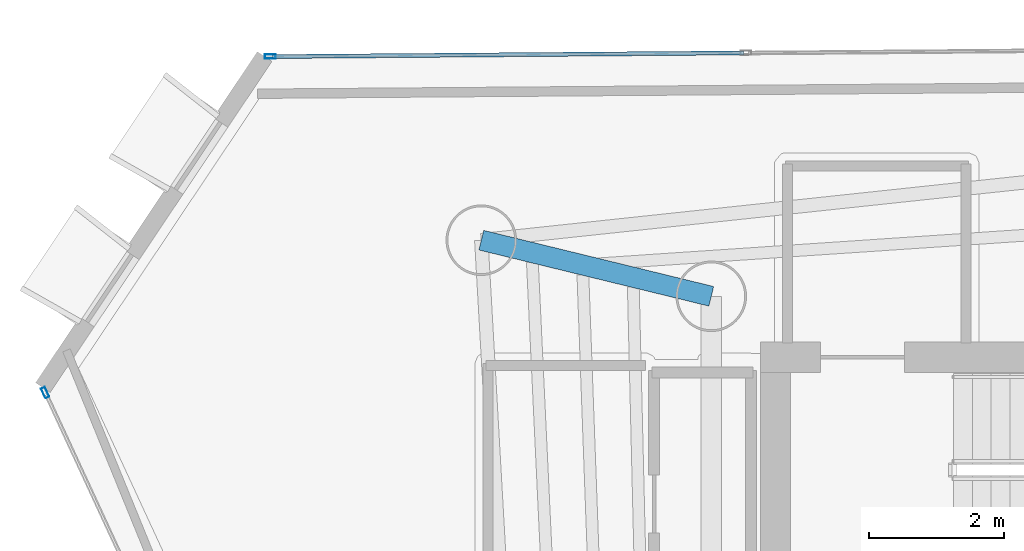
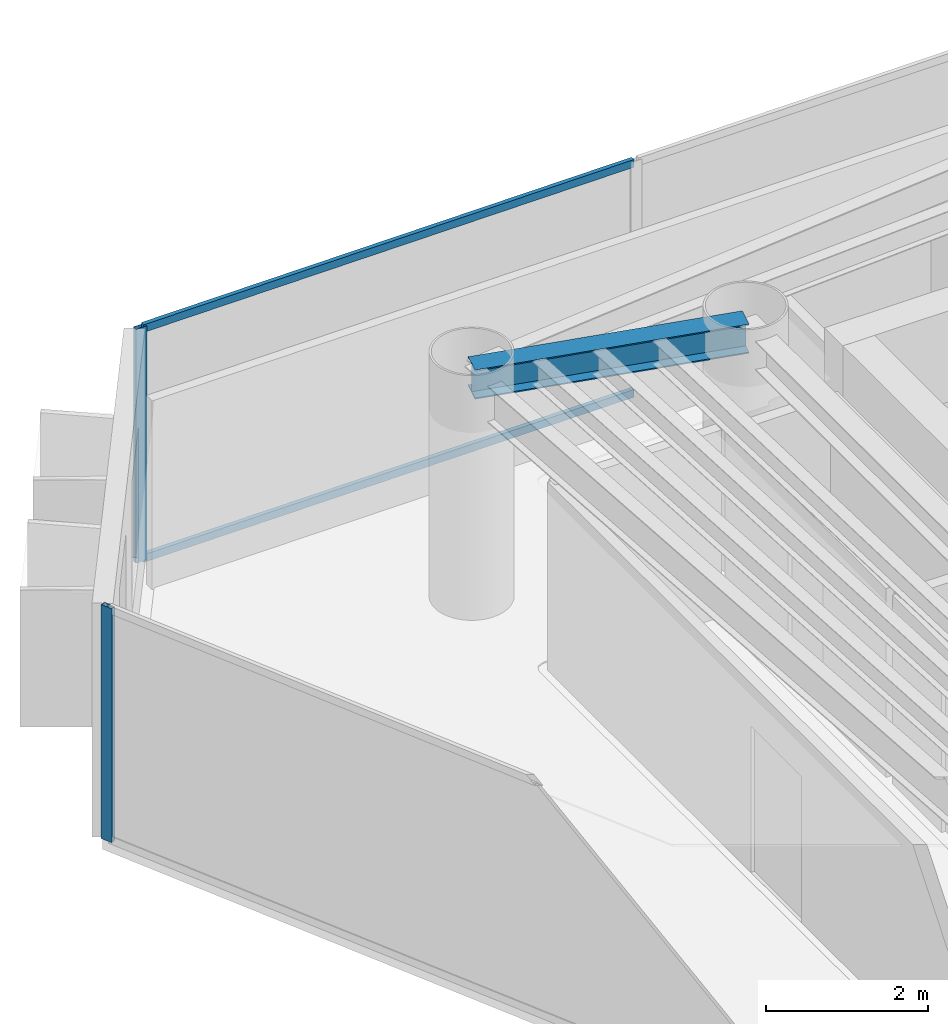
# One storey, part 8 of 21: 4 members, 1 beam, 2 elements without a shape of their own.
"""IFC4 building model written with IfcOpenShell, lengths in metres."""

from ifc_helpers import new_model, si_unit, direction, frame, origin, origin_2d, place, context, subcontext, project, spatial, hollow_rectangle, i_section, extrude, material, layer, layer_set, material_profile, profile_set, type_object, element, aggregate, save


model = new_model("IFC4")

# Units and contexts
model_context = context("Model", 3, precision=1e-05, world=origin(), true_north=direction((0.0, 1.0)))
body_context = subcontext(model_context, "Body", "Model", "MODEL_VIEW")
ifc_project = project(units=[si_unit("LENGTHUNIT", "METRE"), si_unit("AREAUNIT", "SQUARE_METRE"), si_unit("VOLUMEUNIT", "CUBIC_METRE"), si_unit("PLANEANGLEUNIT", "RADIAN"), si_unit("MASSUNIT", "GRAM", prefix="KILO")], contexts=[model_context])

# Site, building, storey
site_placement = place(None, origin())
site = spatial("IfcSite", under=ifc_project, at=site_placement, CompositionType="ELEMENT")
building_placement = place(site_placement, origin())
building = spatial("IfcBuilding", under=site, at=building_placement, Name="Qianvela Tower", CompositionType="ELEMENT")
storey_placement = place(building_placement, frame((0.0, 0.0, 253.800048828125)))
storey = spatial("IfcBuildingStorey", under=building, at=storey_placement, Name="L65", CompositionType="ELEMENT", Elevation=253.800048828125)

# Beam
ifc_material_1 = material(Name="Steel Q355B", Category="steel")
ifc_material_profile_1 = material_profile(ifc_material_1, i_section(OverallWidth=0.300048828125, OverallDepth=0.43994140625, WebThickness=0.010986328125, FlangeThickness=0.01806640625, at=origin_2d()), Name="HM440x300x11x18")
ifc_profile_set_1 = profile_set([ifc_material_profile_1], Name="Steel Q355B")
beam_type = type_object("IfcBeamType", Name="BM-HM440-COLL", PredefinedType="BEAM", material=ifc_profile_set_1)
beam_placement = place(storey_placement, frame((28.60009765625, 33.550048828125, 3.2978515625), z_axis=(-0.971502414323, 0.237029658405, 0.0), x_axis=(-0.237029658405, -0.971502414323, 0.0)))
element("IfcBeam", 1, at=beam_placement, inside=storey, type_object=beam_type, Name="L65 Radial Primary Floor Girder 3", PredefinedType="BEAM", context=body_context, shape_type="SweptSolid", body=[
    extrude(i_section(OverallWidth=0.300048828125, OverallDepth=0.43994140625, WebThickness=0.010986328125, FlangeThickness=0.01806640625, at=origin_2d()), origin(), (0.0, 0.0, 1.0), 3.5185546875),
])

# Curtain wall, member
ifc_material_2 = material(Name="Anodised Architectural Aluminium and Low-E Glass", Category="aluminium")
ifc_layer = layer(ifc_material_2, 0.159912109375)
ifc_layer_set = layer_set([ifc_layer], Name="Anodised Architectural Aluminium and Low-E Glass")
curtain_wall_type = type_object("IfcCurtainWallType", Name="CW-COLIV-Z56", PredefinedType="USERDEFINED", material=ifc_layer_set)
curtain_wall_1_placement = place(storey_placement, origin())
curtain_wall_1 = element("IfcCurtainWall", 2, at=curtain_wall_1_placement, inside=storey, type_object=curtain_wall_type, Name="L65 CW-COLIV-Z56 Curtain Wall 02C", ObjectType="CURTAIN_WALL_SYSTEM", PredefinedType="USERDEFINED")
ifc_material_3 = material(Name="Anodised Architectural Aluminium 6063-T6", Category="aluminium")
ifc_material_profile_2 = material_profile(ifc_material_3, hollow_rectangle(XDim=0.06494140625, YDim=0.159912109375, WallThickness=0.0048828125, at=origin_2d()), Name="ALU-MULL-65x160")
ifc_profile_set_2 = profile_set([ifc_material_profile_2], Name="Anodised Architectural Aluminium 6063-T6")
member_type_1 = type_object("IfcMemberType", Name="CW-COLIV-Z56-MULL", PredefinedType="MULLION", material=ifc_profile_set_2)
member_1_placement = place(storey_placement, frame((22.04345703125, 37.11376953125, 0.0), z_axis=(0.0, 0.0, 1.0), x_axis=(0.007803521427, -0.999969552063, 0.0)))
member_1 = element("IfcMember", 3, at=member_1_placement, type_object=member_type_1, Name="CW-5 mullion 3", PredefinedType="MULLION", context=body_context, shape_type="SweptSolid", body=[
    extrude(hollow_rectangle(XDim=0.06494140625, YDim=0.159912109375, WallThickness=0.0048828125, at=origin_2d()), origin(), (0.0, 0.0, 1.0), 3.52001953125),
])

curtain_wall_2_placement = place(storey_placement, origin())
curtain_wall_2 = element("IfcCurtainWall", 4, at=curtain_wall_2_placement, inside=storey, type_object=curtain_wall_type, Name="L65 CW-COLIV-Z56 Curtain Wall 04A", ObjectType="CURTAIN_WALL_SYSTEM", PredefinedType="USERDEFINED")
member_2_placement = place(storey_placement, frame((18.699951171875, 32.11767578125, 0.0), z_axis=(0.0, 0.0, 1.0), x_axis=(0.907778824695, 0.419449169072, 0.0)))
member_2 = element("IfcMember", 5, at=member_2_placement, type_object=member_type_1, Name="CW-5 mullion 1", PredefinedType="MULLION", context=body_context, shape_type="SweptSolid", body=[
    extrude(hollow_rectangle(XDim=0.06494140625, YDim=0.159912109375, WallThickness=0.0048828125, at=origin_2d()), origin(), (0.0, 0.0, 1.0), 3.52001953125),
])
aggregate(curtain_wall_2, [member_2])

# Member
ifc_material_4 = material(Name="Anodised Architectural Aluminium 6063-T6", Category="aluminium")
ifc_material_profile_3 = material_profile(ifc_material_4, hollow_rectangle(XDim=0.06005859375, YDim=0.114990234375, WallThickness=0.00390625, at=origin_2d()), Name="ALU-TRAN-60x115")
ifc_profile_set_3 = profile_set([ifc_material_profile_3], Name="Anodised Architectural Aluminium 6063-T6")
member_type_2 = type_object("IfcMemberType", Name="CW-COLIV-Z56-TRAN", PredefinedType="USERDEFINED", material=ifc_profile_set_3)
member_3_placement = place(storey_placement, frame((29.083984375, 37.168701171875, 0.030029296875), z_axis=(-0.99996955394, -0.007803280964, 0.0), x_axis=(0.007803280964, -0.99996955394, 0.0)))
member_3 = element("IfcMember", 6, at=member_3_placement, type_object=member_type_2, Name="CW-5 transom 2.1", ObjectType="TRANSOM", PredefinedType="USERDEFINED", context=body_context, shape_type="SweptSolid", body=[
    extrude(hollow_rectangle(XDim=0.06005859375, YDim=0.114990234375, WallThickness=0.00390625, at=origin_2d()), origin(), (0.0, 0.0, 1.0), 7.00830078125),
])

member_4_placement = place(storey_placement, frame((29.083984375, 37.168701171875, 3.489990234375), z_axis=(-0.99996955394, -0.007803280964, 0.0), x_axis=(0.007803280964, -0.99996955394, 0.0)))
member_4 = element("IfcMember", 7, at=member_4_placement, type_object=member_type_2, Name="CW-5 transom 2.2", ObjectType="TRANSOM", PredefinedType="USERDEFINED", context=body_context, shape_type="SweptSolid", body=[
    extrude(hollow_rectangle(XDim=0.06005859375, YDim=0.114990234375, WallThickness=0.00390625, at=origin_2d()), origin(), (0.0, 0.0, 1.0), 7.00830078125),
])

aggregate(curtain_wall_1, [member_1, member_3, member_4])

save(model, "model.ifc")
